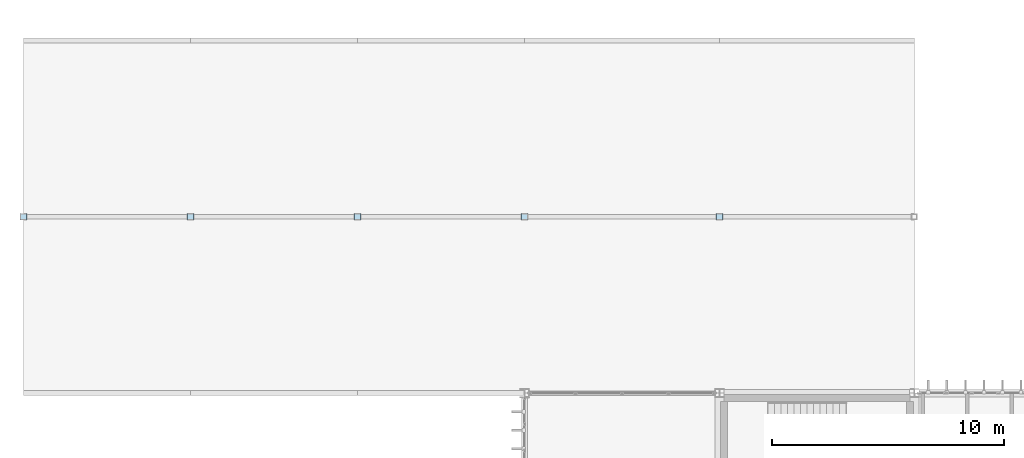
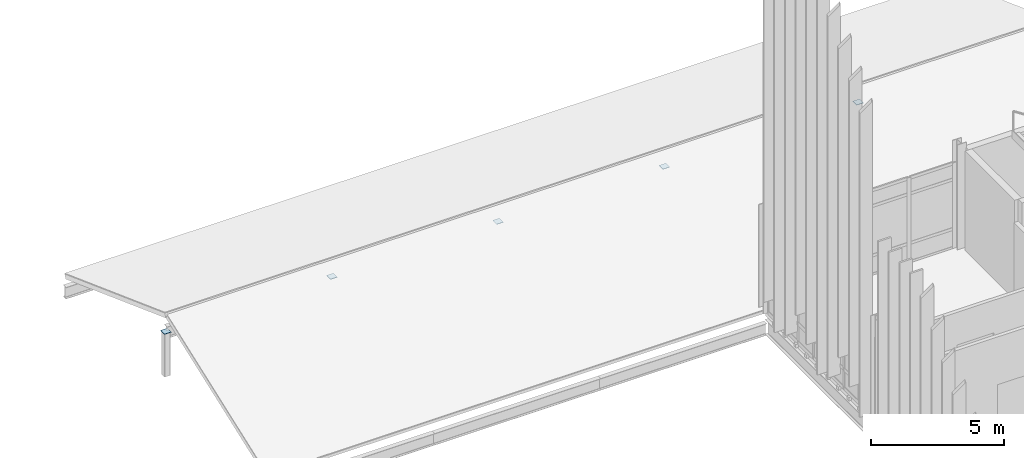
# One storey, part 110 of 153: 5 plates.
"""IFC4 building model written with IfcOpenShell, lengths in metres."""

from ifc_helpers import new_model, si_unit, direction, frame, origin, origin_2d, place, context, subcontext, project, spatial, rectangle, extrude, material, layer, layer_set, type_object, element, save


model = new_model("IFC4")

# Units and contexts
model_context = context("Model", 3, precision=1e-05, world=origin(), true_north=direction((0.0, 1.0)))
body_context = subcontext(model_context, "Body", "Model", "MODEL_VIEW")
ifc_project = project(units=[si_unit("LENGTHUNIT", "METRE"), si_unit("AREAUNIT", "SQUARE_METRE"), si_unit("VOLUMEUNIT", "CUBIC_METRE"), si_unit("PLANEANGLEUNIT", "RADIAN"), si_unit("MASSUNIT", "GRAM", prefix="KILO")], contexts=[model_context])

# Site, building, storey
site_placement = place(None, origin())
site = spatial("IfcSite", under=ifc_project, at=site_placement, CompositionType="ELEMENT")
building_placement = place(site_placement, origin())
building = spatial("IfcBuilding", under=site, at=building_placement, Name="Calvrana Isthmian Art Gallery", CompositionType="ELEMENT")
storey_placement = place(building_placement, frame((0.0, 0.0, 10.199951171875)))
storey = spatial("IfcBuildingStorey", under=building, at=storey_placement, Name="L02", CompositionType="ELEMENT", Elevation=10.199951171875)

# Plates
ifc_material = material(Name="Steel ASTM A572 Gr 50", Category="steel")
ifc_layer = layer(ifc_material, 0.01611328125, Name="Steel ASTM A572 Gr 50")
ifc_layer_set = layer_set([ifc_layer], Name="Steel ASTM A572 Gr 50")
plate_type = type_object("IfcPlateType", Name="PL-CAP-16", PredefinedType="SHEET", material=ifc_layer_set)
for number, where, z_axis, x_axis, name in (
    (1, (0.0, 54.39990234375, 1.971923828125), (0.0, 0.0, 1.0), (1.0, 0.0, 0.0), "Hollow section end cap plate 505"),
    (2, (7.199951171875, 54.39990234375, 1.971923828125), (0.0, 0.0, 1.0), (1.0, 0.0, 0.0), "Hollow section end cap plate 506"),
    (3, (14.39990234375, 54.39990234375, 1.971923828125), (0.0, 0.0, 1.0), (1.0, 0.0, 0.0), "Hollow section end cap plate 507"),
    (4, (21.60009765625, 54.39990234375, 1.971923828125), (0.0, 0.0, 1.0), (1.0, 0.0, 0.0), "Hollow section end cap plate 508"),
    (5, (30.0, 54.39990234375, 1.971923828125), (0.0, 0.0, 1.0), (1.0, 0.0, 0.0), "Hollow section end cap plate 509"),
):
    element("IfcPlate", number, at=place(storey_placement, frame(where, z_axis=z_axis, x_axis=x_axis)), inside=storey, type_object=plate_type, Name=name, PredefinedType="SHEET", context=body_context, shape_type="SweptSolid", body=[
        extrude(rectangle(XDim=0.2939453125, YDim=0.2939453125, at=origin_2d()), origin(), (0.0, 0.0, 1.0), 0.01611328125),
    ])

save(model, "model.ifc")
